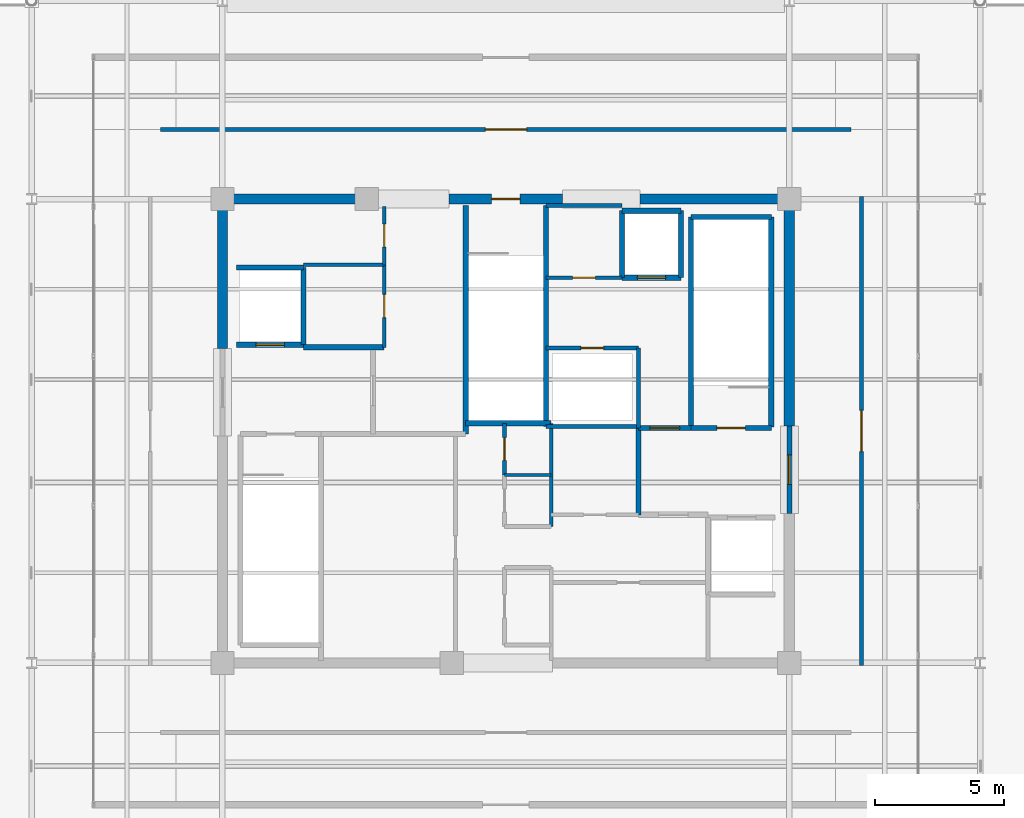
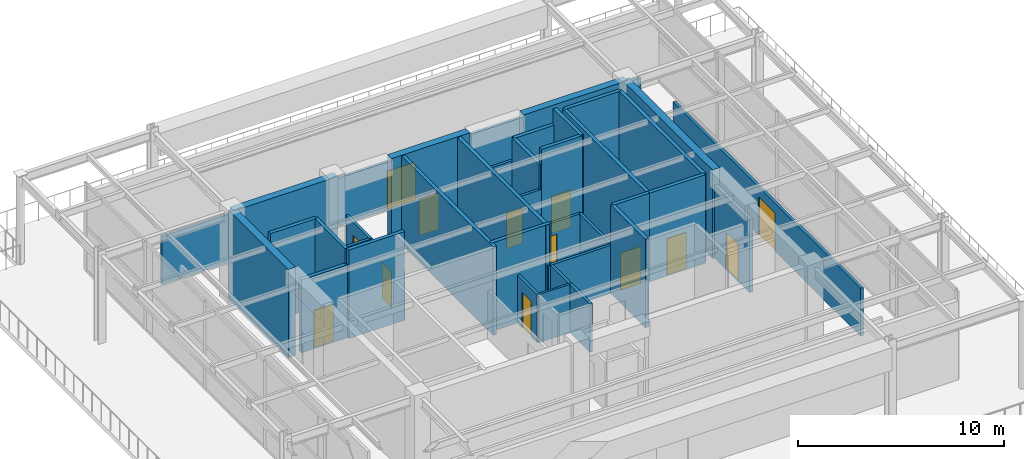
# One storey, part 14 of 16: 36 walls, 13 doors, 13 openings.
"""IFC4 building model written with IfcOpenShell, lengths in metres."""

from ifc_helpers import new_model, si_unit, direction, frame, frame_2d, origin, place, context, subcontext, project, spatial, rectangle, extrude, material, layer, layer_set, type_object, element, fill, save


model = new_model("IFC4")

# Units and contexts
model_context = context("Model", 3, precision=1e-05, world=origin(), true_north=direction((0.0, 1.0)))
body_context = subcontext(model_context, "Body", "Model", "MODEL_VIEW")
ifc_project = project(units=[si_unit("LENGTHUNIT", "METRE"), si_unit("AREAUNIT", "SQUARE_METRE"), si_unit("VOLUMEUNIT", "CUBIC_METRE"), si_unit("PLANEANGLEUNIT", "RADIAN"), si_unit("MASSUNIT", "GRAM", prefix="KILO")], contexts=[model_context])

# Site, building, storey
site_placement = place(None, origin())
site = spatial("IfcSite", under=ifc_project, at=site_placement, CompositionType="ELEMENT")
building_placement = place(site_placement, origin())
building = spatial("IfcBuilding", under=site, at=building_placement, Name="Kovane Verandah Tower", CompositionType="ELEMENT")
storey_placement = place(building_placement, frame((0.0, 0.0, 354.300048828125)))
storey = spatial("IfcBuildingStorey", under=building, at=storey_placement, Name="L82", CompositionType="ELEMENT", Elevation=354.300048828125)

# Wall
ifc_material_1 = material(Name="Fire-Rated Gypsum Stud Partition", Category="gypsum")
ifc_layer_1 = layer(ifc_material_1, 0.14990234375)
ifc_layer_set_1 = layer_set([ifc_layer_1], Name="Fire-Rated Gypsum Stud Partition")
wall_type_1 = type_object("IfcWallType", Name="WL-COR-150", PredefinedType="PARTITIONING", material=ifc_layer_set_1)
wall_1_placement = place(storey_placement, frame((41.760009765625, 23.800048828125, 0.0), z_axis=(0.0, 0.0, 1.0), x_axis=(0.0, 1.0, 0.0)))
element("IfcWall", 1, at=wall_1_placement, inside=storey, type_object=wall_type_1, Name="L82 Central Core Strip Upper East Wall", PredefinedType="PARTITIONING", context=body_context, shape_type="SweptSolid", body=[
    extrude(rectangle(XDim=4.0, YDim=0.14990234375, at=frame_2d((2.0, 0.0))), origin(), (0.0, 0.0, 1.0), 2.849853515625),
])

# Wall, opening, door
wall_2_placement = place(storey_placement, frame((39.949951171875, 25.800048828125, 0.0), z_axis=(0.0, 0.0, 1.0), x_axis=(0.0, 1.0, 0.0)))
wall_2 = element("IfcWall", 2, at=wall_2_placement, inside=storey, type_object=wall_type_1, Name="L82 Telecom and BMS Riser Room Partition", PredefinedType="PARTITIONING", context=body_context, shape_type="SweptSolid", body=[
    extrude(rectangle(XDim=2.0, YDim=0.14990234375, at=frame_2d((1.0, 0.0))), origin(), (0.0, 0.0, 1.0), 2.849853515625),
])
opening_1_placement = place(wall_2_placement, frame((0.56005859375, 0.0, 0.0)))
opening_1 = element("IfcOpeningElement", 3, at=opening_1_placement, cuts=wall_2, Name="Opening DR-L82-019", PredefinedType="OPENING", context=body_context, shape_type="SweptSolid", body=[
    extrude(rectangle(XDim=0.8798828125, YDim=2.10009765625, at=frame_2d((0.43994140625, 1.050048828125))), frame((0.0, 0.074951171875, 0.0), z_axis=(0.0, -1.0, 0.0), x_axis=(1.0, 0.0, 0.0)), (0.0, 0.0, 1.0), 0.14990234375),
])
ifc_material_2 = material(Name="Fire-Rated Steel Riser Access Door", Category="steel")
door_type_1 = type_object("IfcDoorType", Name="DR-RISER-880", OperationType="SINGLE_SWING_LEFT", PredefinedType="DOOR", material=ifc_material_2)
door_1_placement = place(opening_1_placement, origin())
door_1 = element("IfcDoor", 4, at=door_1_placement, inside=storey, type_object=door_type_1, Name="L82 Telecom and BMS Riser Room Door", OperationType="SINGLE_SWING_LEFT", OverallHeight=2.10009765625, OverallWidth=0.8798828125, PredefinedType="DOOR", context=body_context, shape_type="SweptSolid", body=[
    extrude(rectangle(XDim=0.8798828125, YDim=2.10009765625, at=frame_2d((0.43994140625, 1.050048828125))), frame((0.0, 0.02490234375, 0.0), z_axis=(0.0, -1.0, 0.0), x_axis=(1.0, 0.0, 0.0)), (0.0, 0.0, 1.0), 0.050048828125),
])
fill(opening_1, door_1)

# Wall
wall_3_placement = place(storey_placement, frame((32.14990234375, 33.949951171875, 0.0), z_axis=(0.0, 0.0, 1.0), x_axis=(1.0, 0.0, 0.0)))
element("IfcWall", 5, at=wall_3_placement, inside=storey, type_object=wall_type_1, Name="L82 Goods Lift Lobby South Wall", PredefinedType="PARTITIONING", context=body_context, shape_type="SweptSolid", body=[
    extrude(rectangle(XDim=3.130126953125, YDim=0.14990234375, at=frame_2d((1.56494140625, 0.0))), origin(), (0.0, 0.0, 1.0), 2.849853515625),
])

# Wall, opening, door
wall_4_placement = place(storey_placement, frame((35.280029296875, 33.949951171875, 0.0), z_axis=(0.0, 0.0, 1.0), x_axis=(0.0, 1.0, 0.0)))
wall_4 = element("IfcWall", 6, at=wall_4_placement, inside=storey, type_object=wall_type_1, Name="L82 Crown Lift Motor Plant Room Partition", PredefinedType="PARTITIONING", context=body_context, shape_type="SweptSolid", body=[
    extrude(rectangle(XDim=2.27001953125, YDim=0.14990234375, at=frame_2d((1.135009765625, 0.0))), origin(), (0.0, 0.0, 1.0), 2.849853515625),
])
opening_2_placement = place(wall_4_placement, frame((0.695068359375, 0.0, 0.0)))
opening_2 = element("IfcOpeningElement", 7, at=opening_2_placement, cuts=wall_4, Name="Opening DR-L82-015", PredefinedType="OPENING", context=body_context, shape_type="SweptSolid", body=[
    extrude(rectangle(XDim=0.8798828125, YDim=2.10009765625, at=frame_2d((0.43994140625, 1.050048828125))), frame((0.0, 0.074951171875, 0.0), z_axis=(0.0, -1.0, 0.0), x_axis=(1.0, 0.0, 0.0)), (0.0, 0.0, 1.0), 0.14990234375),
])
door_2_placement = place(opening_2_placement, origin())
door_2 = element("IfcDoor", 8, at=door_2_placement, inside=storey, type_object=door_type_1, Name="L82 Crown Lift Motor Plant Room Door", OperationType="SINGLE_SWING_RIGHT", OverallHeight=2.10009765625, OverallWidth=0.8798828125, PredefinedType="DOOR", context=body_context, shape_type="SweptSolid", body=[
    extrude(rectangle(XDim=0.8798828125, YDim=2.10009765625, at=frame_2d((0.43994140625, 1.050048828125))), frame((0.0, 0.02490234375, 0.0), z_axis=(0.0, -1.0, 0.0), x_axis=(1.0, 0.0, 0.0)), (0.0, 0.0, 1.0), 0.050048828125),
])
fill(opening_2, door_2)

wall_5_placement = place(storey_placement, frame((35.280029296875, 30.75, 0.0), z_axis=(0.0, 0.0, 1.0), x_axis=(0.0, 1.0, 0.0)))
wall_5 = element("IfcWall", 9, at=wall_5_placement, inside=storey, type_object=wall_type_1, Name="L82 Accessible Unisex Toilet Partition", PredefinedType="PARTITIONING", context=body_context, shape_type="SweptSolid", body=[
    extrude(rectangle(XDim=3.199951171875, YDim=0.14990234375, at=frame_2d((1.60009765625, 0.0))), origin(), (0.0, 0.0, 1.0), 2.849853515625),
])
opening_3_placement = place(wall_5_placement, frame((1.14990234375, 0.0, 0.0)))
opening_3 = element("IfcOpeningElement", 10, at=opening_3_placement, cuts=wall_5, Name="Opening DR-L82-022", PredefinedType="OPENING", context=body_context, shape_type="SweptSolid", body=[
    extrude(rectangle(XDim=0.89990234375, YDim=2.10009765625, at=frame_2d((0.449951171875, 1.050048828125))), frame((0.0, 0.074951171875, 0.0), z_axis=(0.0, -1.0, 0.0), x_axis=(1.0, 0.0, 0.0)), (0.0, 0.0, 1.0), 0.14990234375),
])
ifc_material_3 = material(Name="Moisture-Resistant Laminate Washroom Door", Category="wood")
door_type_2 = type_object("IfcDoorType", Name="DR-WC-900", OperationType="SINGLE_SWING_LEFT", PredefinedType="DOOR", material=ifc_material_3)
door_3_placement = place(opening_3_placement, origin())
door_3 = element("IfcDoor", 11, at=door_3_placement, inside=storey, type_object=door_type_2, Name="L82 Accessible Unisex Toilet Door", OperationType="SINGLE_SWING_LEFT", OverallHeight=2.10009765625, OverallWidth=0.89990234375, PredefinedType="DOOR", context=body_context, shape_type="SweptSolid", body=[
    extrude(rectangle(XDim=0.89990234375, YDim=2.10009765625, at=frame_2d((0.449951171875, 1.050048828125))), frame((0.0, 0.02490234375, 0.0), z_axis=(0.0, -1.0, 0.0), x_axis=(1.0, 0.0, 0.0)), (0.0, 0.0, 1.0), 0.050048828125),
])
fill(opening_3, door_3)

# Walls
wall_6_placement = place(storey_placement, frame((41.56005859375, 27.679931640625, 0.0), z_axis=(0.0, 0.0, 1.0), x_axis=(1.0, 0.0, 0.0)))
element("IfcWall", 12, at=wall_6_placement, inside=storey, type_object=wall_type_1, Name="L82 East Core Service Riser South Wall", PredefinedType="PARTITIONING", context=body_context, shape_type="SweptSolid", body=[
    extrude(rectangle(XDim=3.58984375, YDim=0.14990234375, at=frame_2d((1.794921875, 0.0))), origin(), (0.0, 0.0, 1.0), 2.849853515625),
])
wall_7_placement = place(storey_placement, frame((45.14990234375, 27.6201171875, 0.0), z_axis=(0.0, 0.0, 1.0), x_axis=(0.0, 1.0, 0.0)))
element("IfcWall", 13, at=wall_7_placement, inside=storey, type_object=wall_type_1, Name="L82 East Core Service Riser East Wall", PredefinedType="PARTITIONING", context=body_context, shape_type="SweptSolid", body=[
    extrude(rectangle(XDim=3.099853515625, YDim=0.14990234375, at=frame_2d((1.5498046875, 0.0))), origin(), (0.0, 0.0, 1.0), 2.849853515625),
])

# Wall, opening, door
wall_8_placement = place(storey_placement, frame((41.56005859375, 30.719970703125, 0.0), z_axis=(0.0, 0.0, 1.0), x_axis=(1.0, 0.0, 0.0)))
wall_8 = element("IfcWall", 14, at=wall_8_placement, inside=storey, type_object=wall_type_1, Name="L82 Combined Chilled Water and Smoke Duct Room Partition", PredefinedType="PARTITIONING", context=body_context, shape_type="SweptSolid", body=[
    extrude(rectangle(XDim=3.58984375, YDim=0.14990234375, at=frame_2d((1.794921875, 0.0))), origin(), (0.0, 0.0, 1.0), 2.849853515625),
])
opening_4_placement = place(wall_8_placement, frame((1.35498046875, 0.0, 0.0)))
opening_4 = element("IfcOpeningElement", 15, at=opening_4_placement, cuts=wall_8, Name="Opening DR-L82-016", PredefinedType="OPENING", context=body_context, shape_type="SweptSolid", body=[
    extrude(rectangle(XDim=0.8798828125, YDim=2.10009765625, at=frame_2d((0.43994140625, 1.050048828125))), frame((0.0, 0.074951171875, 0.0), z_axis=(0.0, -1.0, 0.0), x_axis=(1.0, 0.0, 0.0)), (0.0, 0.0, 1.0), 0.14990234375),
])
door_4_placement = place(opening_4_placement, origin())
door_4 = element("IfcDoor", 16, at=door_4_placement, inside=storey, type_object=door_type_1, Name="L82 Combined Chilled Water and Smoke Duct Room Door", OperationType="SINGLE_SWING_LEFT", OverallHeight=2.10009765625, OverallWidth=0.8798828125, PredefinedType="DOOR", context=body_context, shape_type="SweptSolid", body=[
    extrude(rectangle(XDim=0.8798828125, YDim=2.10009765625, at=frame_2d((0.43994140625, 1.050048828125))), frame((0.0, 0.02490234375, 0.0), z_axis=(0.0, -1.0, 0.0), x_axis=(1.0, 0.0, 0.0)), (0.0, 0.0, 1.0), 0.050048828125),
])
fill(opening_4, door_4)

# Wall
wall_9_placement = place(storey_placement, frame((41.56005859375, 36.25, 0.0), z_axis=(0.0, 0.0, 1.0), x_axis=(1.0, 0.0, 0.0)))
element("IfcWall", 17, at=wall_9_placement, inside=storey, type_object=wall_type_1, Name="L82 Sky Telecom Riser North Wall", PredefinedType="PARTITIONING", context=body_context, shape_type="SweptSolid", body=[
    extrude(rectangle(XDim=2.93994140625, YDim=0.14990234375, at=frame_2d((1.469970703125, 0.0))), origin(), (0.0, 0.0, 1.0), 2.849853515625),
])

# Wall, opening, door
wall_10_placement = place(storey_placement, frame((41.56005859375, 33.449951171875, 0.0), z_axis=(0.0, 0.0, 1.0), x_axis=(1.0, 0.0, 0.0)))
wall_10 = element("IfcWall", 18, at=wall_10_placement, inside=storey, type_object=wall_type_1, Name="L82 Sky Telecom Riser Room Partition", PredefinedType="PARTITIONING", context=body_context, shape_type="SweptSolid", body=[
    extrude(rectangle(XDim=2.93994140625, YDim=0.14990234375, at=frame_2d((1.469970703125, 0.0))), origin(), (0.0, 0.0, 1.0), 2.849853515625),
])
opening_5_placement = place(wall_10_placement, frame((1.030029296875, 0.0, 0.0)))
opening_5 = element("IfcOpeningElement", 19, at=opening_5_placement, cuts=wall_10, Name="Opening DR-L82-014", PredefinedType="OPENING", context=body_context, shape_type="SweptSolid", body=[
    extrude(rectangle(XDim=0.8798828125, YDim=2.10009765625, at=frame_2d((0.43994140625, 1.050048828125))), frame((0.0, 0.074951171875, 0.0), z_axis=(0.0, -1.0, 0.0), x_axis=(1.0, 0.0, 0.0)), (0.0, 0.0, 1.0), 0.14990234375),
])
door_5_placement = place(opening_5_placement, origin())
door_5 = element("IfcDoor", 20, at=door_5_placement, inside=storey, type_object=door_type_1, Name="L82 Sky Telecom Riser Room Door", OperationType="SINGLE_SWING_RIGHT", OverallHeight=2.10009765625, OverallWidth=0.8798828125, PredefinedType="DOOR", context=body_context, shape_type="SweptSolid", body=[
    extrude(rectangle(XDim=0.8798828125, YDim=2.10009765625, at=frame_2d((0.43994140625, 1.050048828125))), frame((0.0, 0.02490234375, 0.0), z_axis=(0.0, -1.0, 0.0), x_axis=(1.0, 0.0, 0.0)), (0.0, 0.0, 1.0), 0.050048828125),
])
fill(opening_5, door_5)

wall_11_placement = place(storey_placement, frame((53.800048828125, 18.39990234375, 0.0), z_axis=(0.0, 0.0, 1.0), x_axis=(0.0, 1.0, 0.0)))
wall_11 = element("IfcWall", 21, at=wall_11_placement, inside=storey, type_object=wall_type_1, Name="L82 BMU and Smoke Extract Plant Room Corridor Partition", PredefinedType="PARTITIONING", context=body_context, shape_type="SweptSolid", body=[
    extrude(rectangle(XDim=18.2001953125, YDim=0.14990234375, at=frame_2d((9.10009765625, 0.0))), origin(), (0.0, 0.0, 1.0), 2.849853515625),
])
opening_6_placement = place(wall_11_placement, frame((8.300048828125, 0.0, 0.0)))
opening_6 = element("IfcOpeningElement", 22, at=opening_6_placement, cuts=wall_11, Name="Opening DR-L82-017", PredefinedType="OPENING", context=body_context, shape_type="SweptSolid", body=[
    extrude(rectangle(XDim=1.60009765625, YDim=2.25, at=frame_2d((0.800048828125, 1.125))), frame((0.0, 0.074951171875, 0.0), z_axis=(0.0, -1.0, 0.0), x_axis=(1.0, 0.0, 0.0)), (0.0, 0.0, 1.0), 0.14990234375),
])
ifc_material_4 = material(Name="Louvred Acoustic Steel Double Plant Door", Category="steel")
door_type_3 = type_object("IfcDoorType", Name="DR-PLANT-1600", OperationType="DOUBLE_DOOR_SINGLE_SWING", PredefinedType="DOOR", material=ifc_material_4)
door_6_placement = place(opening_6_placement, origin())
door_6 = element("IfcDoor", 23, at=door_6_placement, inside=storey, type_object=door_type_3, Name="L82 BMU and Smoke Extract Plant Room Entrance Door", OperationType="DOUBLE_DOOR_SINGLE_SWING", OverallHeight=2.25, OverallWidth=1.60009765625, PredefinedType="DOOR", context=body_context, shape_type="SweptSolid", body=[
    extrude(rectangle(XDim=1.60009765625, YDim=2.25, at=frame_2d((0.800048828125, 1.125))), frame((0.0, 0.02490234375, 0.0), z_axis=(0.0, -1.0, 0.0), x_axis=(1.0, 0.0, 0.0)), (0.0, 0.0, 1.0), 0.050048828125),
])
fill(opening_6, door_6)

wall_12_placement = place(storey_placement, frame((26.60009765625, 39.199951171875, 0.0), z_axis=(0.0, 0.0, 1.0), x_axis=(1.0, 0.0, 0.0)))
wall_12 = element("IfcWall", 24, at=wall_12_placement, inside=storey, type_object=wall_type_1, Name="L82 North Crown Pressurisation Fan Plant Room Corridor Partition", PredefinedType="PARTITIONING", context=body_context, shape_type="SweptSolid", body=[
    extrude(rectangle(XDim=26.7998046875, YDim=0.14990234375, at=frame_2d((13.39990234375, 0.0))), origin(), (0.0, 0.0, 1.0), 2.849853515625),
])
opening_7_placement = place(wall_12_placement, frame((12.60009765625, 0.0, 0.0)))
opening_7 = element("IfcOpeningElement", 25, at=opening_7_placement, cuts=wall_12, Name="Opening DR-L82-020", PredefinedType="OPENING", context=body_context, shape_type="SweptSolid", body=[
    extrude(rectangle(XDim=1.60009765625, YDim=2.25, at=frame_2d((0.800048828125, 1.125))), frame((0.0, 0.074951171875, 0.0), z_axis=(0.0, -1.0, 0.0), x_axis=(1.0, 0.0, 0.0)), (0.0, 0.0, 1.0), 0.14990234375),
])
door_7_placement = place(opening_7_placement, origin())
door_7 = element("IfcDoor", 26, at=door_7_placement, inside=storey, type_object=door_type_3, Name="L82 North Crown Pressurisation Fan Plant Room Entrance Door", OperationType="DOUBLE_DOOR_SINGLE_SWING", OverallHeight=2.25, OverallWidth=1.60009765625, PredefinedType="DOOR", context=body_context, shape_type="SweptSolid", body=[
    extrude(rectangle(XDim=1.60009765625, YDim=2.25, at=frame_2d((0.800048828125, 1.125))), frame((0.0, 0.02490234375, 0.0), z_axis=(0.0, -1.0, 0.0), x_axis=(1.0, 0.0, 0.0)), (0.0, 0.0, 1.0), 0.050048828125),
])
fill(opening_7, door_7)

# Wall
ifc_material_5 = material(Name="Concrete C60/75", Category="concrete")
ifc_layer_2 = layer(ifc_material_5, 0.39990234375)
ifc_layer_set_2 = layer_set([ifc_layer_2], Name="Concrete C60/75")
wall_type_2 = type_object("IfcWallType", Name="WL-CORE-400", PredefinedType="SHEAR", material=ifc_layer_set_2)
wall_13_placement = place(storey_placement, frame((29.0, 36.5, 0.0), z_axis=(0.0, 0.0, 1.0), x_axis=(1.0, 0.0, 0.0)))
element("IfcWall", 27, at=wall_13_placement, inside=storey, type_object=wall_type_2, Name="L82 Core Shear Wall CN-1", PredefinedType="SHEAR", context=body_context, shape_type="SweptSolid", body=[
    extrude(rectangle(XDim=5.800048828125, YDim=0.39990234375, at=frame_2d((2.89990234375, 0.0))), origin(), (0.0, 0.0, 1.0), 5.239990234375),
])

# Wall, opening, door
wall_14_placement = place(storey_placement, frame((37.800048828125, 36.5, 0.0), z_axis=(0.0, 0.0, 1.0), x_axis=(1.0, 0.0, 0.0)))
wall_14 = element("IfcWall", 28, at=wall_14_placement, inside=storey, type_object=wall_type_2, Name="L82 Core Shear Wall CN-2", PredefinedType="SHEAR", context=body_context, shape_type="SweptSolid", body=[
    extrude(rectangle(XDim=4.39990234375, YDim=0.39990234375, at=frame_2d((2.199951171875, 0.0))), origin(), (0.0, 0.0, 1.0), 5.239990234375),
])
opening_8_placement = place(wall_14_placement, frame((1.64990234375, 0.0, 0.0)))
opening_8 = element("IfcOpeningElement", 29, at=opening_8_placement, cuts=wall_14, Name="Opening DR-L82-010", PredefinedType="OPENING", context=body_context, shape_type="SweptSolid", body=[
    extrude(rectangle(XDim=1.10009765625, YDim=2.14990234375, at=frame_2d((0.550048828125, 1.074951171875))), frame((0.0, 0.199951171875, 0.0), z_axis=(0.0, -1.0, 0.0), x_axis=(1.0, 0.0, 0.0)), (0.0, 0.0, 1.0), 0.39990234375),
])
ifc_material_6 = material(Name="Fire-Rated Steel Exit Door", Category="steel")
door_type_4 = type_object("IfcDoorType", Name="DR-STAIR-1100", OperationType="SINGLE_SWING_LEFT", PredefinedType="DOOR", material=ifc_material_6)
door_8_placement = place(opening_8_placement, origin())
door_8 = element("IfcDoor", 30, at=door_8_placement, inside=storey, type_object=door_type_4, Name="L82 ST-03 Fire Exit Stair Door", OperationType="SINGLE_SWING_RIGHT", OverallHeight=2.14990234375, OverallWidth=1.10009765625, PredefinedType="DOOR", context=body_context, shape_type="SweptSolid", body=[
    extrude(rectangle(XDim=1.10009765625, YDim=2.14990234375, at=frame_2d((0.550048828125, 1.074951171875))), frame((0.0, 0.02490234375, 0.0), z_axis=(0.0, -1.0, 0.0), x_axis=(1.0, 0.0, 0.0)), (0.0, 0.0, 1.0), 0.050048828125),
])
fill(opening_8, door_8)

# Walls
for number, where, z_axis, x_axis, name in (
    (31, (45.199951171875, 36.5, 0.0), (0.0, 0.0, 1.0), (1.0, 0.0, 0.0), "L82 Core Shear Wall CN-3"),
    (32, (29.0, 30.699951171875, 0.0), (0.0, 0.0, 1.0), (0.0, 1.0, 0.0), "L82 Core Shear Wall CW-2"),
):
    element("IfcWall", number, at=place(storey_placement, frame(where, z_axis=z_axis, x_axis=x_axis)), inside=storey, type_object=wall_type_2, Name=name, PredefinedType="SHEAR", context=body_context, shape_type="SweptSolid", body=[
        extrude(rectangle(XDim=5.800048828125, YDim=0.39990234375, at=frame_2d((2.89990234375, 0.0))), origin(), (0.0, 0.0, 1.0), 5.239990234375),
    ])
wall_15_placement = place(storey_placement, frame((51.0, 27.699951171875, 0.0), z_axis=(0.0, 0.0, 1.0), x_axis=(0.0, 1.0, 0.0)))
element("IfcWall", 33, at=wall_15_placement, inside=storey, type_object=wall_type_2, Name="L82 Core Shear Wall CE-2", PredefinedType="SHEAR", context=body_context, shape_type="SweptSolid", body=[
    extrude(rectangle(XDim=8.800048828125, YDim=0.39990234375, at=frame_2d((4.39990234375, 0.0))), origin(), (0.0, 0.0, 1.0), 5.239990234375),
])
ifc_material_7 = material(Name="Concrete C45/55 Fire Wall", Category="concrete")
ifc_layer_3 = layer(ifc_material_7, 0.199951171875)
ifc_layer_set_3 = layer_set([ifc_layer_3], Name="Concrete C45/55 Fire Wall")
wall_type_3 = type_object("IfcWallType", Name="WL-FFL-200", PredefinedType="PARTITIONING", material=ifc_layer_set_3)
wall_16_placement = place(storey_placement, frame((32.14990234375, 30.75, 0.0), z_axis=(0.0, 0.0, 1.0), x_axis=(1.0, 0.0, 0.0)))
element("IfcWall", 34, at=wall_16_placement, inside=storey, type_object=wall_type_3, Name="L82 West Firefighting Lobby North Fire Wall", PredefinedType="PARTITIONING", context=body_context, shape_type="SweptSolid", body=[
    extrude(rectangle(XDim=3.130126953125, YDim=0.199951171875, at=frame_2d((1.56494140625, 0.0))), origin(), (0.0, 0.0, 1.0), 5.239990234375),
])
wall_17_placement = place(storey_placement, frame((45.14990234375, 24.25, 0.0), z_axis=(0.0, 0.0, 1.0), x_axis=(0.0, 1.0, 0.0)))
element("IfcWall", 35, at=wall_17_placement, inside=storey, type_object=wall_type_3, Name="L82 East Firefighting Lobby West Fire Wall", PredefinedType="PARTITIONING", context=body_context, shape_type="SweptSolid", body=[
    extrude(rectangle(XDim=3.3701171875, YDim=0.199951171875, at=frame_2d((1.68505859375, 0.0))), origin(), (0.0, 0.0, 1.0), 5.239990234375),
])

# Wall, opening, door
wall_18_placement = place(storey_placement, frame((45.14990234375, 27.6201171875, 0.0), z_axis=(0.0, 0.0, 1.0), x_axis=(1.0, 0.0, 0.0)))
wall_18 = element("IfcWall", 36, at=wall_18_placement, inside=storey, type_object=wall_type_3, Name="W-L82-FFLE-N", PredefinedType="PARTITIONING", context=body_context, shape_type="SweptSolid", body=[
    extrude(rectangle(XDim=2.030029296875, YDim=0.199951171875, at=frame_2d((1.01513671875, 0.0))), origin(), (0.0, 0.0, 1.0), 5.239990234375),
])
opening_9_placement = place(wall_18_placement, frame((0.43994140625, 0.0, 0.0)))
opening_9 = element("IfcOpeningElement", 37, at=opening_9_placement, cuts=wall_18, Name="Opening DR-L82-002", PredefinedType="OPENING", context=body_context, shape_type="SweptSolid", body=[
    extrude(rectangle(XDim=1.14990234375, YDim=2.199951171875, at=frame_2d((0.574951171875, 1.10009765625))), frame((0.0, 0.10009765625, 0.0), z_axis=(0.0, -1.0, 0.0), x_axis=(1.0, 0.0, 0.0)), (0.0, 0.0, 1.0), 0.199951171875),
])
ifc_material_8 = material(Name="Smoke-Sealed Firefighting Lobby Door", Category="steel")
door_type_5 = type_object("IfcDoorType", Name="DR-FFL-1150", OperationType="SINGLE_SWING_LEFT", PredefinedType="DOOR", material=ifc_material_8)
door_9_placement = place(opening_9_placement, origin())
door_9 = element("IfcDoor", 38, at=door_9_placement, inside=storey, type_object=door_type_5, Name="L82 East Firefighting Lobby Shuttle Link Door", OperationType="SINGLE_SWING_LEFT", OverallHeight=2.199951171875, OverallWidth=1.14990234375, PredefinedType="DOOR", context=body_context, shape_type="SweptSolid", body=[
    extrude(rectangle(XDim=1.14990234375, YDim=2.199951171875, at=frame_2d((0.574951171875, 1.10009765625))), frame((0.0, 0.02490234375, 0.0), z_axis=(0.0, -1.0, 0.0), x_axis=(1.0, 0.0, 0.0)), (0.0, 0.0, 1.0), 0.050048828125),
])
fill(opening_9, door_9)

wall_19_placement = place(storey_placement, frame((51.0, 24.300048828125, 0.0), z_axis=(0.0, 0.0, 1.0), x_axis=(0.0, 1.0, 0.0)))
wall_19 = element("IfcWall", 39, at=wall_19_placement, inside=storey, type_object=wall_type_3, Name="W-L82-FFLE-OUT", PredefinedType="PARTITIONING", context=body_context, shape_type="SweptSolid", body=[
    extrude(rectangle(XDim=3.39990234375, YDim=0.199951171875, at=frame_2d((1.699951171875, 0.0))), origin(), (0.0, 0.0, 1.0), 4.320068359375),
])
opening_10_placement = place(wall_19_placement, frame((1.125, 0.0, 0.0)))
opening_10 = element("IfcOpeningElement", 40, at=opening_10_placement, cuts=wall_19, Name="Opening DR-L82-003", PredefinedType="OPENING", context=body_context, shape_type="SweptSolid", body=[
    extrude(rectangle(XDim=1.14990234375, YDim=2.199951171875, at=frame_2d((0.574951171875, 1.10009765625))), frame((0.0, 0.10009765625, 0.0), z_axis=(0.0, -1.0, 0.0), x_axis=(1.0, 0.0, 0.0)), (0.0, 0.0, 1.0), 0.199951171875),
])
door_10_placement = place(opening_10_placement, origin())
door_10 = element("IfcDoor", 41, at=door_10_placement, inside=storey, type_object=door_type_5, Name="L82 East Firefighting Lobby Corridor Door", OperationType="SINGLE_SWING_LEFT", OverallHeight=2.199951171875, OverallWidth=1.14990234375, PredefinedType="DOOR", context=body_context, shape_type="SweptSolid", body=[
    extrude(rectangle(XDim=1.14990234375, YDim=2.199951171875, at=frame_2d((0.574951171875, 1.10009765625))), frame((0.0, 0.02490234375, 0.0), z_axis=(0.0, -1.0, 0.0), x_axis=(1.0, 0.0, 0.0)), (0.0, 0.0, 1.0), 0.050048828125),
])
fill(opening_10, door_10)

ifc_material_9 = material(Name="Concrete C45/55 Lift Shaft Wall", Category="concrete")
ifc_layer_4 = layer(ifc_material_9, 0.199951171875)
ifc_layer_set_4 = layer_set([ifc_layer_4], Name="Concrete C45/55 Lift Shaft Wall")
wall_type_4 = type_object("IfcWallType", Name="WL-LIFT-200", PredefinedType="SOLIDWALL", material=ifc_layer_set_4)
wall_20_placement = place(storey_placement, frame((29.550048828125, 30.85009765625, 0.0), z_axis=(0.0, 0.0, 1.0), x_axis=(1.0, 0.0, 0.0)))
wall_20 = element("IfcWall", 42, at=wall_20_placement, inside=storey, type_object=wall_type_4, Name="L82 Lift FL-01 S Shaft Wall", PredefinedType="SOLIDWALL", context=body_context, shape_type="SweptSolid", body=[
    extrude(rectangle(XDim=2.599853515625, YDim=0.199951171875, at=frame_2d((1.2998046875, 0.0))), origin(), (0.0, 0.0, 1.0), 4.320068359375),
])
opening_11_placement = place(wall_20_placement, frame((0.75, 0.0, 0.0)))
opening_11 = element("IfcOpeningElement", 43, at=opening_11_placement, cuts=wall_20, Name="Opening LD-L82-001", PredefinedType="OPENING", context=body_context, shape_type="SweptSolid", body=[
    extrude(rectangle(XDim=1.10009765625, YDim=2.199951171875, at=frame_2d((0.550048828125, 1.10009765625))), frame((0.0, 0.10009765625, 0.0), z_axis=(0.0, -1.0, 0.0), x_axis=(1.0, 0.0, 0.0)), (0.0, 0.0, 1.0), 0.199951171875),
])
ifc_material_10 = material(Name="Brushed Stainless Steel Sliding Lift Landing Door", Category="steel")
door_type_6 = type_object("IfcDoorType", Name="DR-LIFT-1100", OperationType="SLIDING_TO_RIGHT", PredefinedType="DOOR", material=ifc_material_10)
door_11_placement = place(opening_11_placement, origin())
door_11 = element("IfcDoor", 44, at=door_11_placement, inside=storey, type_object=door_type_6, Name="L82 Lift FL-01 Sliding Landing Door", OperationType="SLIDING_TO_RIGHT", OverallHeight=2.199951171875, OverallWidth=1.10009765625, PredefinedType="DOOR", context=body_context, shape_type="SweptSolid", body=[
    extrude(rectangle(XDim=1.10009765625, YDim=2.199951171875, at=frame_2d((0.550048828125, 1.10009765625))), frame((0.0, 0.02490234375, 0.0), z_axis=(0.0, -1.0, 0.0), x_axis=(1.0, 0.0, 0.0)), (0.0, 0.0, 1.0), 0.050048828125),
])
fill(opening_11, door_11)

# Walls
wall_21_placement = place(storey_placement, frame((32.14990234375, 33.85009765625, 0.0), z_axis=(0.0, 0.0, 1.0), x_axis=(-1.0, 0.0, 0.0)))
element("IfcWall", 45, at=wall_21_placement, inside=storey, type_object=wall_type_4, Name="L82 Lift FL-01 N Shaft Wall", PredefinedType="SOLIDWALL", context=body_context, shape_type="SweptSolid", body=[
    extrude(rectangle(XDim=2.599853515625, YDim=0.199951171875, at=frame_2d((1.2998046875, 0.0))), origin(), (0.0, 0.0, 1.0), 5.239990234375),
])
wall_22_placement = place(storey_placement, frame((32.14990234375, 30.85009765625, 0.0), z_axis=(0.0, 0.0, 1.0), x_axis=(0.0, 1.0, 0.0)))
element("IfcWall", 46, at=wall_22_placement, inside=storey, type_object=wall_type_4, Name="L82 Lift FL-01 E Shaft Wall", PredefinedType="SOLIDWALL", context=body_context, shape_type="SweptSolid", body=[
    extrude(rectangle(XDim=3.0, YDim=0.199951171875, at=frame_2d((1.5, 0.0))), origin(), (0.0, 0.0, 1.0), 5.239990234375),
])

# Wall, opening, door
wall_23_placement = place(storey_placement, frame((44.5, 33.449951171875, 0.0), z_axis=(0.0, 0.0, 1.0), x_axis=(1.0, 0.0, 0.0)))
wall_23 = element("IfcWall", 47, at=wall_23_placement, inside=storey, type_object=wall_type_4, Name="L82 Lift OL-01 S Shaft Wall", PredefinedType="SOLIDWALL", context=body_context, shape_type="SweptSolid", body=[
    extrude(rectangle(XDim=2.300048828125, YDim=0.199951171875, at=frame_2d((1.14990234375, 0.0))), origin(), (0.0, 0.0, 1.0), 5.239990234375),
])
opening_12_placement = place(wall_23_placement, frame((0.60009765625, 0.0, 0.0)))
opening_12 = element("IfcOpeningElement", 48, at=opening_12_placement, cuts=wall_23, Name="Opening LD-L82-003", PredefinedType="OPENING", context=body_context, shape_type="SweptSolid", body=[
    extrude(rectangle(XDim=1.10009765625, YDim=2.199951171875, at=frame_2d((0.550048828125, 1.10009765625))), frame((0.0, 0.10009765625, 0.0), z_axis=(0.0, -1.0, 0.0), x_axis=(1.0, 0.0, 0.0)), (0.0, 0.0, 1.0), 0.199951171875),
])
door_12_placement = place(opening_12_placement, origin())
door_12 = element("IfcDoor", 49, at=door_12_placement, inside=storey, type_object=door_type_6, Name="L82 Lift OL-01 Sliding Landing Door", OperationType="SLIDING_TO_RIGHT", OverallHeight=2.199951171875, OverallWidth=1.10009765625, PredefinedType="DOOR", context=body_context, shape_type="SweptSolid", body=[
    extrude(rectangle(XDim=1.10009765625, YDim=2.199951171875, at=frame_2d((0.550048828125, 1.10009765625))), frame((0.0, 0.02490234375, 0.0), z_axis=(0.0, -1.0, 0.0), x_axis=(1.0, 0.0, 0.0)), (0.0, 0.0, 1.0), 0.050048828125),
])
fill(opening_12, door_12)

# Walls
wall_24_placement = place(storey_placement, frame((46.800048828125, 36.050048828125, 0.0), z_axis=(0.0, 0.0, 1.0), x_axis=(-1.0, 0.0, 0.0)))
element("IfcWall", 50, at=wall_24_placement, inside=storey, type_object=wall_type_4, Name="L82 Lift OL-01 N Shaft Wall", PredefinedType="SOLIDWALL", context=body_context, shape_type="SweptSolid", body=[
    extrude(rectangle(XDim=2.300048828125, YDim=0.199951171875, at=frame_2d((1.14990234375, 0.0))), origin(), (0.0, 0.0, 1.0), 4.320068359375),
])
wall_25_placement = place(storey_placement, frame((44.5, 36.050048828125, 0.0), z_axis=(0.0, 0.0, 1.0), x_axis=(0.0, -1.0, 0.0)))
element("IfcWall", 51, at=wall_25_placement, inside=storey, type_object=wall_type_4, Name="L82 Lift OL-01 W Shaft Wall", PredefinedType="SOLIDWALL", context=body_context, shape_type="SweptSolid", body=[
    extrude(rectangle(XDim=2.60009765625, YDim=0.199951171875, at=frame_2d((1.300048828125, 0.0))), origin(), (0.0, 0.0, 1.0), 4.320068359375),
])
wall_26_placement = place(storey_placement, frame((46.800048828125, 33.449951171875, 0.0), z_axis=(0.0, 0.0, 1.0), x_axis=(0.0, 1.0, 0.0)))
element("IfcWall", 52, at=wall_26_placement, inside=storey, type_object=wall_type_4, Name="L82 Lift OL-01 E Shaft Wall", PredefinedType="SOLIDWALL", context=body_context, shape_type="SweptSolid", body=[
    extrude(rectangle(XDim=2.60009765625, YDim=0.199951171875, at=frame_2d((1.300048828125, 0.0))), origin(), (0.0, 0.0, 1.0), 5.239990234375),
])
ifc_material_11 = material(Name="Acoustic Fire-Rated Gypsum Partition", Category="gypsum")
ifc_layer_5 = layer(ifc_material_11, 0.1201171875)
ifc_layer_set_5 = layer_set([ifc_layer_5], Name="Acoustic Fire-Rated Gypsum Partition")
wall_type_5 = type_object("IfcWallType", Name="WL-PART-120", PredefinedType="PARTITIONING", material=ifc_layer_set_5)
wall_27_placement = place(storey_placement, frame((39.949951171875, 25.800048828125, 0.0), z_axis=(0.0, 0.0, 1.0), x_axis=(1.0, 0.0, 0.0)))
element("IfcWall", 53, at=wall_27_placement, inside=storey, type_object=wall_type_5, Name="L82 Central Core Strip Upper Dividing Partition", PredefinedType="PARTITIONING", context=body_context, shape_type="SweptSolid", body=[
    extrude(rectangle(XDim=1.81005859375, YDim=0.1201171875, at=frame_2d((0.905029296875, 0.0))), origin(), (0.0, 0.0, 1.0), 2.849853515625),
])
ifc_material_12 = material(Name="Concrete C45/55", Category="concrete")
ifc_layer_6 = layer(ifc_material_12, 0.199951171875)
ifc_layer_set_6 = layer_set([ifc_layer_6], Name="Concrete C45/55")
wall_type_6 = type_object("IfcWallType", Name="WL-SHAFT-200", PredefinedType="SOLIDWALL", material=ifc_layer_set_6)
wall_28_placement = place(storey_placement, frame((50.300048828125, 27.64990234375, 0.0), z_axis=(0.0, 0.0, 1.0), x_axis=(0.0, 1.0, 0.0)))
element("IfcWall", 54, at=wall_28_placement, inside=storey, type_object=wall_type_6, Name="W-L82-ST02-E", PredefinedType="SOLIDWALL", context=body_context, shape_type="SweptSolid", body=[
    extrude(rectangle(XDim=8.150146484375, YDim=0.199951171875, at=frame_2d((4.0751953125, 0.0))), origin(), (0.0, 0.0, 1.0), 5.239990234375),
])
wall_29_placement = place(storey_placement, frame((47.179931640625, 35.800048828125, 0.0), z_axis=(0.0, 0.0, 1.0), x_axis=(1.0, 0.0, 0.0)))
element("IfcWall", 55, at=wall_29_placement, inside=storey, type_object=wall_type_6, Name="W-L82-ST02-N", PredefinedType="SOLIDWALL", context=body_context, shape_type="SweptSolid", body=[
    extrude(rectangle(XDim=3.1201171875, YDim=0.199951171875, at=frame_2d((1.56005859375, 0.0))), origin(), (0.0, 0.0, 1.0), 5.239990234375),
])
wall_30_placement = place(storey_placement, frame((47.179931640625, 27.6201171875, 0.0), z_axis=(0.0, 0.0, 1.0), x_axis=(0.0, 1.0, 0.0)))
element("IfcWall", 56, at=wall_30_placement, inside=storey, type_object=wall_type_6, Name="W-L82-ST02-W", PredefinedType="SOLIDWALL", context=body_context, shape_type="SweptSolid", body=[
    extrude(rectangle(XDim=8.179931640625, YDim=0.199951171875, at=frame_2d((4.08984375, 0.0))), origin(), (0.0, 0.0, 1.0), 5.239990234375),
])

# Wall, opening, door
wall_31_placement = place(storey_placement, frame((47.179931640625, 27.6201171875, 0.0), z_axis=(0.0, 0.0, 1.0), x_axis=(1.0, 0.0, 0.0)))
wall_31 = element("IfcWall", 57, at=wall_31_placement, inside=storey, type_object=wall_type_6, Name="W-L82-ST02-S", PredefinedType="SOLIDWALL", context=body_context, shape_type="SweptSolid", body=[
    extrude(rectangle(XDim=3.1201171875, YDim=0.199951171875, at=frame_2d((1.56005859375, 0.0))), origin(), (0.0, 0.0, 1.0), 5.239990234375),
])
opening_13_placement = place(wall_31_placement, frame((1.010009765625, 0.0, 0.0)))
opening_13 = element("IfcOpeningElement", 58, at=opening_13_placement, cuts=wall_31, Name="Opening DR-L82-009", PredefinedType="OPENING", context=body_context, shape_type="SweptSolid", body=[
    extrude(rectangle(XDim=1.10009765625, YDim=2.14990234375, at=frame_2d((0.550048828125, 1.074951171875))), frame((0.0, 0.10009765625, 0.0), z_axis=(0.0, -1.0, 0.0), x_axis=(1.0, 0.0, 0.0)), (0.0, 0.0, 1.0), 0.199951171875),
])
door_13_placement = place(opening_13_placement, origin())
door_13 = element("IfcDoor", 59, at=door_13_placement, inside=storey, type_object=door_type_4, Name="L82 ST-02 Fire Exit Stair Door", OperationType="SINGLE_SWING_LEFT", OverallHeight=2.14990234375, OverallWidth=1.10009765625, PredefinedType="DOOR", context=body_context, shape_type="SweptSolid", body=[
    extrude(rectangle(XDim=1.10009765625, YDim=2.14990234375, at=frame_2d((0.550048828125, 1.074951171875))), frame((0.0, 0.02490234375, 0.0), z_axis=(0.0, -1.0, 0.0), x_axis=(1.0, 0.0, 0.0)), (0.0, 0.0, 1.0), 0.050048828125),
])
fill(opening_13, door_13)

# Walls
wall_32_placement = place(storey_placement, frame((38.43994140625, 27.3798828125, 0.0), z_axis=(0.0, 0.0, 1.0), x_axis=(0.0, 1.0, 0.0)))
element("IfcWall", 60, at=wall_32_placement, inside=storey, type_object=wall_type_6, Name="W-L82-ST03-W", PredefinedType="SOLIDWALL", context=body_context, shape_type="SweptSolid", body=[
    extrude(rectangle(XDim=8.8701171875, YDim=0.199951171875, at=frame_2d((4.43505859375, 0.0))), origin(), (0.0, 0.0, 1.0), 5.239990234375),
])
wall_33_placement = place(storey_placement, frame((41.56005859375, 27.679931640625, 0.0), z_axis=(0.0, 0.0, 1.0), x_axis=(0.0, 1.0, 0.0)))
element("IfcWall", 61, at=wall_33_placement, inside=storey, type_object=wall_type_6, Name="W-L82-ST03-E", PredefinedType="SOLIDWALL", context=body_context, shape_type="SweptSolid", body=[
    extrude(rectangle(XDim=8.570068359375, YDim=0.199951171875, at=frame_2d((4.28515625, 0.0))), origin(), (0.0, 0.0, 1.0), 5.239990234375),
])
wall_34_placement = place(storey_placement, frame((38.43994140625, 27.800048828125, 0.0), z_axis=(0.0, 0.0, 1.0), x_axis=(1.0, 0.0, 0.0)))
element("IfcWall", 62, at=wall_34_placement, inside=storey, type_object=wall_type_6, Name="W-L82-ST03-S", PredefinedType="SOLIDWALL", context=body_context, shape_type="SweptSolid", body=[
    extrude(rectangle(XDim=3.320068359375, YDim=0.199951171875, at=frame_2d((1.66015625, 0.0))), origin(), (0.0, 0.0, 1.0), 5.239990234375),
])

save(model, "model.ifc")
